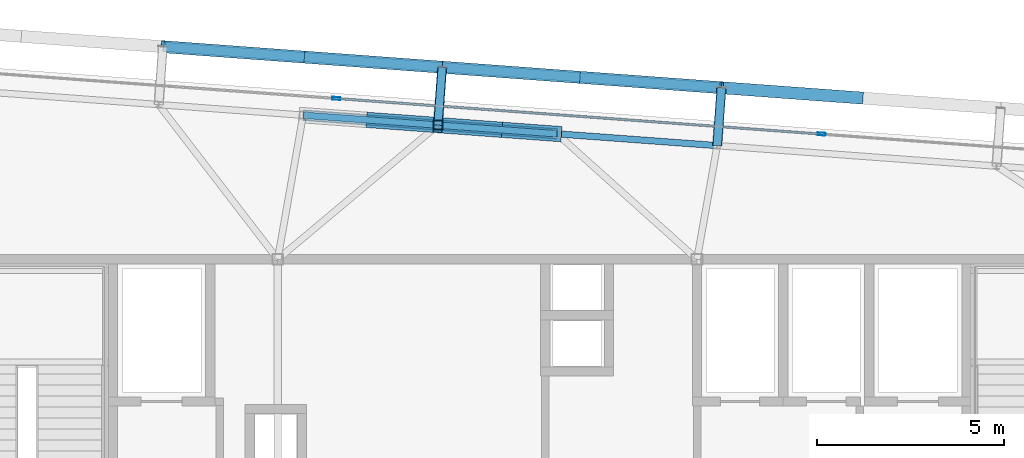
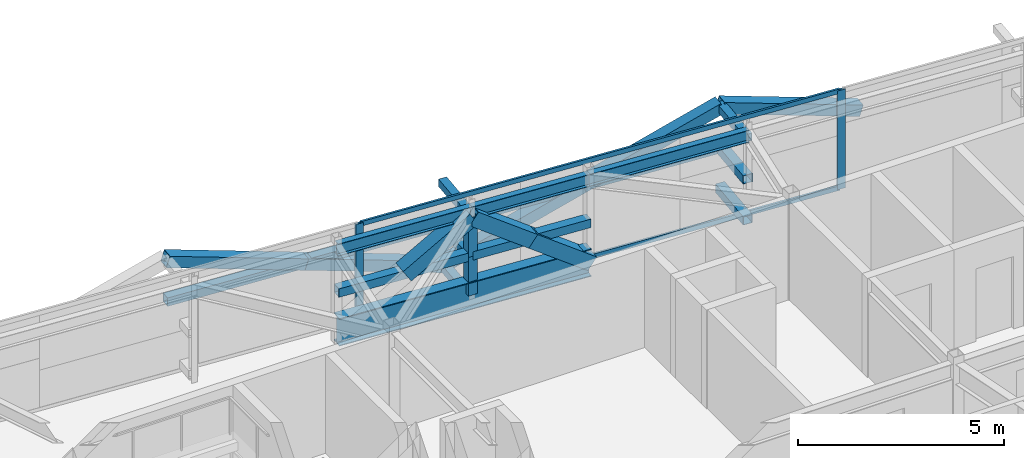
# One storey, part 21 of 35: 24 members, 3 beams, 1 element without a shape of its own.
"""IFC4 building model written with IfcOpenShell, lengths in metres."""

from ifc_helpers import new_model, si_unit, direction, frame, origin, origin_2d, place, context, subcontext, project, spatial, hollow_rectangle, i_section, extrude, source, transform, mapped, material, layer, layer_set, material_profile, profile_set, type_object, element, aggregate, save


model = new_model("IFC4")

# Units and contexts
model_context = context("Model", 3, precision=1e-05, world=origin(), true_north=direction((0.0, 1.0)))
body_context = subcontext(model_context, "Body", "Model", "MODEL_VIEW")
ifc_project = project(units=[si_unit("LENGTHUNIT", "METRE"), si_unit("AREAUNIT", "SQUARE_METRE"), si_unit("VOLUMEUNIT", "CUBIC_METRE"), si_unit("PLANEANGLEUNIT", "RADIAN"), si_unit("MASSUNIT", "GRAM", prefix="KILO")], contexts=[model_context])

# Site, building, storey
site_placement = place(None, origin())
site = spatial("IfcSite", under=ifc_project, at=site_placement, CompositionType="ELEMENT")
building_placement = place(site_placement, origin())
building = spatial("IfcBuilding", under=site, at=building_placement, Name="Taldren Reach Tower", CompositionType="ELEMENT")
storey_placement = place(building_placement, frame((0.0, 0.0, 236.60009765625)))
storey = spatial("IfcBuildingStorey", under=building, at=storey_placement, Name="L72", CompositionType="ELEMENT", Elevation=236.60009765625)

# Members
ifc_material_1 = material(Name="Steel Gr 350 (C350L0)", Category="steel")
ifc_material_profile_1 = material_profile(ifc_material_1, hollow_rectangle(XDim=0.25, YDim=0.25, WallThickness=0.010009765625, at=origin_2d()), Name="250x250x10.0SHS")
ifc_profile_set_1 = profile_set([ifc_material_profile_1], Name="Steel Gr 350 (C350L0)")
member_type_1 = type_object("IfcMemberType", Name="MB-POST250", PredefinedType="POST", material=ifc_profile_set_1)
shared_shape_1 = source(origin(), body_context, "Body", "SweptSolid", [
    extrude(hollow_rectangle(XDim=0.25, YDim=0.25, WallThickness=0.010009765625, at=origin_2d()), origin(), (0.0, 0.0, 1.0), 1.550048828125),
])
for number, where, z_axis, x_axis, name in (
    (1, (39.739501953125, 35.035400390625, 0.219970703125), (0.07323929162, 0.997314396849, 0.0), (-0.997314396849, 0.07323929162, 0.0), "Exoskeleton base diaphragm tie strut B5-N4 L72"),
    (2, (32.279541015625, 35.583251953125, 1.434814453125), (0.07323929162, 0.997314396849, 0.0), (-0.997314396849, 0.07323929162, 0.0), "Exoskeleton mid-tier diaphragm tie B5-N3 L72"),
    (3, (39.739501953125, 35.035400390625, 1.434814453125), (0.07323929162, 0.997314396849, 0.0), (-0.997314396849, 0.07323929162, 0.0), "Exoskeleton mid-tier diaphragm tie B5-N4 L72"),
):
    element("IfcMember", number, at=place(storey_placement, frame(where, z_axis=z_axis, x_axis=x_axis)), inside=storey, type_object=member_type_1, Name=name, PredefinedType="POST", context=body_context, shape_type="MappedRepresentation", body=[
        mapped(shared_shape_1, transform((0.0, 0.0, 0.0), scale=1.0)),
    ])
ifc_material_2 = material(Name="Steel Gr 450 (C450L0)", Category="steel")
ifc_material_profile_2 = material_profile(ifc_material_2, hollow_rectangle(XDim=0.219970703125, YDim=0.219970703125, WallThickness=0.00830078125, at=origin_2d()), Name="220x220x8.2SHS")
ifc_profile_set_2 = profile_set([ifc_material_profile_2], Name="Steel Gr 450 (C450L0)")
member_type_2 = type_object("IfcMemberType", Name="MB-TIE219", PredefinedType="STRUT", material=ifc_profile_set_2)
shared_shape_2 = source(origin(), body_context, "Body", "SweptSolid", [
    extrude(hollow_rectangle(XDim=0.219970703125, YDim=0.219970703125, WallThickness=0.00830078125, at=origin_2d()), origin(), (0.0, 0.0, 1.0), 1.550048828125),
])
for number, where, z_axis, x_axis, name in (
    (4, (32.279541015625, 35.583251953125, 2.64990234375), (0.07323929162, 0.997314396849, 0.0), (-0.997314396849, 0.07323929162, 0.0), "Exoskeleton diaphragm tie strut B5-N3 L72"),
    (5, (32.279541015625, 35.583251953125, 0.219970703125), (0.07323929162, 0.997314396849, 0.0), (-0.997314396849, 0.07323929162, 0.0), "Exoskeleton base diaphragm tie strut B5-N3 L72"),
    (6, (39.739501953125, 35.035400390625, 2.64990234375), (0.07323929162, 0.997314396849, 0.0), (-0.997314396849, 0.07323929162, 0.0), "Exoskeleton diaphragm tie strut B5-N4 L72"),
):
    element("IfcMember", number, at=place(storey_placement, frame(where, z_axis=z_axis, x_axis=x_axis)), inside=storey, type_object=member_type_2, Name=name, PredefinedType="STRUT", context=body_context, shape_type="MappedRepresentation", body=[
        mapped(shared_shape_2, transform((0.0, 0.0, 0.0), scale=1.0)),
    ])

# Beams
ifc_material_3 = material(Name="Steel Gr 350 (350PLUS)", Category="steel")
ifc_material_profile_3 = material_profile(ifc_material_3, i_section(OverallWidth=0.172119140625, OverallDepth=0.35888671875, WebThickness=0.008056640625, FlangeThickness=0.012939453125, at=origin_2d()), Name="360UB56.7")
ifc_profile_set_3 = profile_set([ifc_material_profile_3], Name="Steel Gr 350 (350PLUS)")
beam_type = type_object("IfcBeamType", Name="SP-UB360", PredefinedType="SPANDREL", material=ifc_profile_set_3)
shared_shape_3 = source(origin(), body_context, "Body", "SweptSolid", [
    extrude(i_section(OverallWidth=0.172119140625, OverallDepth=0.35888671875, WebThickness=0.008056640625, FlangeThickness=0.012939453125, at=origin_2d()), origin(), (0.0, 0.0, 1.0), 4.2900390625),
])
beam_1_placement = place(storey_placement, frame((39.739501953125, 35.035400390625, 2.75048828125), z_axis=(-0.997314292471, 0.073240712948, 0.0), x_axis=(-0.073240712948, -0.997314292471, 0.0)))
element("IfcBeam", 7, at=beam_1_placement, inside=storey, type_object=beam_type, Name="Perimeter spandrel B5 N4-PJN2 L72", PredefinedType="SPANDREL", context=body_context, shape_type="MappedRepresentation", body=[
    mapped(shared_shape_3, transform((0.0, 0.0, 0.0), scale=1.0)),
])
shared_shape_4 = source(origin(), body_context, "Body", "SweptSolid", [
    extrude(i_section(OverallWidth=0.172119140625, OverallDepth=0.35888671875, WebThickness=0.008056640625, FlangeThickness=0.012939453125, at=origin_2d()), origin(), (0.0, 0.0, 1.0), 3.18994140625),
])
beam_2_placement = place(storey_placement, frame((35.4609375, 35.349609375, 2.75048828125), z_axis=(-0.99731412404, 0.073243006424, 0.0), x_axis=(-0.073243006424, -0.99731412404, 0.0)))
element("IfcBeam", 8, at=beam_2_placement, inside=storey, type_object=beam_type, Name="Perimeter spandrel B5 PJN2-N3 L72", PredefinedType="SPANDREL", context=body_context, shape_type="MappedRepresentation", body=[
    mapped(shared_shape_4, transform((0.0, 0.0, 0.0), scale=1.0)),
])
shared_shape_5 = source(origin(), body_context, "Body", "SweptSolid", [
    extrude(i_section(OverallWidth=0.172119140625, OverallDepth=0.35888671875, WebThickness=0.008056640625, FlangeThickness=0.012939453125, at=origin_2d()), origin(), (0.0, 0.0, 1.0), 3.610107421875),
])
beam_3_placement = place(storey_placement, frame((32.279541015625, 35.583251953125, 2.75048828125), z_axis=(-0.997314240042, 0.073241426864, 0.0), x_axis=(-0.073241426864, -0.997314240042, 0.0)))
element("IfcBeam", 9, at=beam_3_placement, inside=storey, type_object=beam_type, Name="Perimeter spandrel B5 N3-PJN1 L72", PredefinedType="SPANDREL", context=body_context, shape_type="MappedRepresentation", body=[
    mapped(shared_shape_5, transform((0.0, 0.0, 0.0), scale=1.0)),
])

# Members
ifc_material_profile_4 = material_profile(ifc_material_2, hollow_rectangle(XDim=0.324951171875, YDim=0.324951171875, WallThickness=0.0126953125, at=origin_2d()), Name="325x325x12.7SHS")
ifc_profile_set_4 = profile_set([ifc_material_profile_4], Name="Steel Gr 450 (C450L0)")
member_type_3 = type_object("IfcMemberType", Name="MB-BR324", PredefinedType="BRACE", material=ifc_profile_set_4)
shared_shape_6 = source(origin(), body_context, "Body", "SweptSolid", [
    extrude(hollow_rectangle(XDim=0.324951171875, YDim=0.324951171875, WallThickness=0.0126953125, at=origin_2d()), origin(), (0.0, 0.0, 1.0), 3.932373046875),
])
for number, where, z_axis, x_axis, name in (
    (10, (32.39306640625, 37.129150390625, 0.219970703125), (-0.948529326954, 0.06965898055, 0.308933232813), (-0.07324169103, -0.997314220642, 0.0), "Exoskeleton Diagrid Brace B5-N2 L72"),
    (11, (28.6630859375, 37.403076171875, 1.434814453125), (-0.948511132845, 0.069657644394, 0.308989390507), (-0.07324169103, -0.997314220642, 0.0), "Exoskeleton Diagrid Brace B5-N2 L72"),
    (12, (32.39306640625, 37.129150390625, 0.219970703125), (0.948529326954, -0.06965898055, 0.308933232813), (0.07324169103, 0.997314220642, 0.0), "Exoskeleton Diagrid Brace B5-N3 L72"),
    (13, (36.123046875, 36.855224609375, 1.434814453125), (0.948511132845, -0.069657644394, 0.308989390507), (0.07324169103, 0.997314220642, 0.0), "Exoskeleton Diagrid Brace B5-N3 L72"),
    (14, (43.5830078125, 36.307373046875, 1.434814453125), (-0.948511132845, 0.069657644394, 0.308989390507), (-0.07324169103, -0.997314220642, 0.0), "Exoskeleton Diagrid Brace B5-N4 L72"),
):
    element("IfcMember", number, at=place(storey_placement, frame(where, z_axis=z_axis, x_axis=x_axis)), inside=storey, type_object=member_type_3, Name=name, PredefinedType="BRACE", context=body_context, shape_type="MappedRepresentation", body=[
        mapped(shared_shape_6, transform((0.0, 0.0, 0.0), scale=1.0)),
    ])
shared_shape_7 = source(origin(), body_context, "Body", "SweptSolid", [
    extrude(hollow_rectangle(XDim=0.25, YDim=0.25, WallThickness=0.010009765625, at=origin_2d()), origin(), (0.0, 0.0, 1.0), 7.47998046875),
])
for number, where, z_axis, x_axis, name in (
    (15, (24.93310546875, 37.677001953125, 1.434814453125), (0.997314220642, -0.07324169103, 0.0), (0.07324169103, 0.997314220642, 0.0), "Exoskeleton mid-height ring chord B5-N2 L72"),
    (16, (32.39306640625, 37.129150390625, 1.434814453125), (0.997314220642, -0.07324169103, 0.0), (0.07324169103, 0.997314220642, 0.0), "Exoskeleton mid-height ring chord B5-N3 L72"),
):
    element("IfcMember", number, at=place(storey_placement, frame(where, z_axis=z_axis, x_axis=x_axis)), inside=storey, type_object=member_type_1, Name=name, PredefinedType="POST", context=body_context, shape_type="MappedRepresentation", body=[
        mapped(shared_shape_7, transform((0.0, 0.0, 0.0), scale=1.0)),
    ])
ifc_material_profile_5 = material_profile(ifc_material_3, i_section(OverallWidth=0.300048828125, OverallDepth=0.81591796875, WebThickness=0.011962890625, FlangeThickness=0.02392578125, at=origin_2d()), Name="800WB192")
ifc_profile_set_5 = profile_set([ifc_material_profile_5], Name="Steel Gr 350 (350PLUS)")
member_type_4 = type_object("IfcMemberType", Name="MB-CH800", PredefinedType="CHORD", material=ifc_profile_set_5)
shared_shape_8 = source(origin(), body_context, "Body", "SweptSolid", [
    extrude(i_section(OverallWidth=0.300048828125, OverallDepth=0.81591796875, WebThickness=0.011962890625, FlangeThickness=0.02392578125, at=origin_2d()), origin(), (0.0, 0.0, 1.0), 6.800048828125),
])
member_1_placement = place(storey_placement, frame((28.67919921875, 35.84765625, 0.349853515625), z_axis=(0.997314185625, -0.073242167855, 0.0), x_axis=(0.073242167855, 0.997314185625, 0.0)))
element("IfcMember", 17, at=member_1_placement, inside=storey, type_object=member_type_4, Name="Wind portal N bridge truss bottom chord", PredefinedType="CHORD", context=body_context, shape_type="MappedRepresentation", body=[
    mapped(shared_shape_8, transform((0.0, 0.0, 0.0), scale=1.0)),
])
shared_shape_9 = source(origin(), body_context, "Body", "SweptSolid", [
    extrude(hollow_rectangle(XDim=0.25, YDim=0.25, WallThickness=0.010009765625, at=origin_2d()), origin(), (0.0, 0.0, 1.0), 6.800048828125),
])
member_2_placement = place(storey_placement, frame((28.67919921875, 35.84765625, 1.5), z_axis=(0.997314185625, -0.073242167855, 0.0), x_axis=(0.073242167855, 0.997314185625, 0.0)))
element("IfcMember", 18, at=member_2_placement, inside=storey, type_object=member_type_1, Name="Wind portal N bridge truss mid chord", PredefinedType="POST", context=body_context, shape_type="MappedRepresentation", body=[
    mapped(shared_shape_9, transform((0.0, 0.0, 0.0), scale=1.0)),
])
shared_shape_10 = source(origin(), body_context, "Body", "SweptSolid", [
    extrude(hollow_rectangle(XDim=0.25, YDim=0.25, WallThickness=0.010009765625, at=origin_2d()), origin(), (0.0, 0.0, 1.0), 1.150146484375),
])
member_3_placement = place(storey_placement, frame((32.279541015625, 35.583251953125, 0.349853515625), z_axis=(0.0, 0.0, 1.0), x_axis=(1.0, 0.0, 0.0)))
element("IfcMember", 19, at=member_3_placement, inside=storey, type_object=member_type_1, Name="Wind portal N bridge truss vertical post", PredefinedType="POST", context=body_context, shape_type="MappedRepresentation", body=[
    mapped(shared_shape_10, transform((0.0, 0.0, 0.0), scale=1.0)),
])
shared_shape_11 = source(origin(), body_context, "Body", "SweptSolid", [
    extrude(hollow_rectangle(XDim=0.25, YDim=0.25, WallThickness=0.010009765625, at=origin_2d()), origin(), (0.0, 0.0, 1.0), 1.14990234375),
])
member_4_placement = place(storey_placement, frame((32.279541015625, 35.583251953125, 1.5), z_axis=(0.0, 0.0, 1.0), x_axis=(1.0, 0.0, 0.0)))
element("IfcMember", 20, at=member_4_placement, inside=storey, type_object=member_type_1, Name="Wind portal N bridge truss upper vertical post", PredefinedType="POST", context=body_context, shape_type="MappedRepresentation", body=[
    mapped(shared_shape_11, transform((0.0, 0.0, 0.0), scale=1.0)),
])
ifc_material_profile_6 = material_profile(ifc_material_2, hollow_rectangle(XDim=0.409912109375, YDim=0.409912109375, WallThickness=0.01611328125, at=origin_2d()), Name="410x410x16.0SHS")
ifc_profile_set_6 = profile_set([ifc_material_profile_6], Name="Steel Gr 450 (C450L0)")
member_type_5 = type_object("IfcMemberType", Name="MB-EXO406", PredefinedType="BRACE", material=ifc_profile_set_6)
shared_shape_12 = source(origin(), body_context, "Body", "SweptSolid", [
    extrude(hollow_rectangle(XDim=0.409912109375, YDim=0.409912109375, WallThickness=0.01611328125, at=origin_2d()), origin(), (0.0, 0.0, 1.0), 2.14013671875),
])
member_5_placement = place(storey_placement, frame((30.4794921875, 35.71533203125, 1.5), z_axis=(0.841117099689, -0.061717665934, 0.537320159981), x_axis=(0.073179096596, 0.997318815536, 0.0)))
element("IfcMember", 21, at=member_5_placement, inside=storey, type_object=member_type_5, Name="Wind portal N bridge truss diagonal 1", PredefinedType="BRACE", context=body_context, shape_type="MappedRepresentation", body=[
    mapped(shared_shape_12, transform((0.0, 0.0, 0.0), scale=1.0)),
])
shared_shape_13 = source(origin(), body_context, "Body", "SweptSolid", [
    extrude(hollow_rectangle(XDim=0.409912109375, YDim=0.409912109375, WallThickness=0.01611328125, at=origin_2d()), origin(), (0.0, 0.0, 1.0), 1.96630859375),
])
for number, where, z_axis, x_axis, name in (
    (22, (32.279541015625, 35.583251953125, 2.64990234375), (0.809008549933, -0.059471316056, -0.584780581673), (0.073313533337, 0.997308942018, 0.0), "Wind portal N bridge truss diagonal 2"),
    (23, (33.870361328125, 35.46630859375, 1.5), (0.80891286709, -0.059349247961, -0.584925328758), (0.073172467585, 0.997319301923, 0.0), "Wind portal N bridge truss diagonal 2"),
):
    element("IfcMember", number, at=place(storey_placement, frame(where, z_axis=z_axis, x_axis=x_axis)), inside=storey, type_object=member_type_5, Name=name, PredefinedType="BRACE", context=body_context, shape_type="MappedRepresentation", body=[
        mapped(shared_shape_13, transform((0.0, 0.0, 0.0), scale=1.0)),
    ])

# Curtain wall, members
ifc_material_4 = material(Name="Aluminium and Low-E Glass Unitised System", Category="aluminium")
ifc_layer = layer(ifc_material_4, 0.159912109375)
ifc_layer_set = layer_set([ifc_layer], Name="Aluminium and Low-E Glass Unitised System")
curtain_wall_type = type_object("IfcCurtainWallType", Name="CW-SYS-6", PredefinedType="NOTDEFINED", material=ifc_layer_set)
curtain_wall_placement = place(storey_placement, origin())
curtain_wall = element("IfcCurtainWall", 24, at=curtain_wall_placement, inside=storey, type_object=curtain_wall_type, Name="Unitised curtain wall CW-L72-N", PredefinedType="NOTDEFINED")
ifc_material_5 = material(Name="Anodised Aluminium 6063-T6", Category="aluminium")
ifc_material_profile_7 = material_profile(ifc_material_5, hollow_rectangle(XDim=0.06005859375, YDim=0.135009765625, WallThickness=0.00341796875, at=origin_2d()), Name="ALU-135x60x3.5RHS")
ifc_profile_set_7 = profile_set([ifc_material_profile_7], Name="Anodised Aluminium 6063-T6")
member_type_6 = type_object("IfcMemberType", Name="CW-TRN-150", PredefinedType="USERDEFINED", material=ifc_profile_set_7)
shared_shape_14 = source(origin(), body_context, "Body", "SweptSolid", [
    extrude(hollow_rectangle(XDim=0.06005859375, YDim=0.135009765625, WallThickness=0.00341796875, at=origin_2d()), origin(), (0.0, 0.0, 1.0), 12.9248046875),
])
member_6_placement = place(storey_placement, frame((42.491943359375, 35.3447265625, 0.02978515625), z_axis=(-0.997314812144, 0.073233636249, 0.0), x_axis=(-0.073233636249, -0.997314812144, 0.0)))
member_6 = element("IfcMember", 25, at=member_6_placement, type_object=member_type_6, Name="CW-6 transom 2.1", ObjectType="TRANSOM", PredefinedType="USERDEFINED", context=body_context, shape_type="MappedRepresentation", body=[
    mapped(shared_shape_14, transform((0.0, 0.0, 0.0), scale=1.0)),
])
member_7_placement = place(storey_placement, frame((42.491943359375, 35.3447265625, 2.89990234375), z_axis=(-0.997314812144, 0.073233636249, 0.0), x_axis=(-0.073233636249, -0.997314812144, 0.0)))
member_7 = element("IfcMember", 26, at=member_7_placement, type_object=member_type_6, Name="CW-6 transom 2.2", ObjectType="TRANSOM", PredefinedType="USERDEFINED", context=body_context, shape_type="MappedRepresentation", body=[
    mapped(shared_shape_14, transform((0.0, 0.0, 0.0), scale=1.0)),
])
ifc_material_profile_8 = material_profile(ifc_material_5, hollow_rectangle(XDim=0.074951171875, YDim=0.2099609375, WallThickness=0.00439453125, at=origin_2d()), Name="ALU-210x75x4.5RHS")
ifc_profile_set_8 = profile_set([ifc_material_profile_8], Name="Anodised Aluminium 6063-T6")
member_type_7 = type_object("IfcMemberType", Name="CW-MUL-200", PredefinedType="MULLION", material=ifc_profile_set_8)
shared_shape_15 = source(origin(), body_context, "Body", "SweptSolid", [
    extrude(hollow_rectangle(XDim=0.074951171875, YDim=0.2099609375, WallThickness=0.00439453125, at=origin_2d()), origin(), (0.0, 0.0, 1.0), 2.929931640625),
])
member_8_placement = place(storey_placement, frame((42.529541015625, 35.341796875, 0.0), z_axis=(0.0, 0.0, 1.0), x_axis=(-0.073238213716, -0.997314476006, 0.0)))
member_8 = element("IfcMember", 27, at=member_8_placement, type_object=member_type_7, Name="CW-6 mullion 2", PredefinedType="MULLION", context=body_context, shape_type="MappedRepresentation", body=[
    mapped(shared_shape_15, transform((0.0, 0.0, 0.0), scale=1.0)),
])
member_9_placement = place(storey_placement, frame((29.564453125, 36.2939453125, 0.0), z_axis=(0.0, 0.0, 1.0), x_axis=(-0.073238213716, -0.997314476006, 0.0)))
member_9 = element("IfcMember", 28, at=member_9_placement, type_object=member_type_7, Name="CW-6 mullion 3", PredefinedType="MULLION", context=body_context, shape_type="MappedRepresentation", body=[
    mapped(shared_shape_15, transform((0.0, 0.0, 0.0), scale=1.0)),
])
aggregate(curtain_wall, [member_8, member_9, member_6, member_7])

save(model, "model.ifc")
